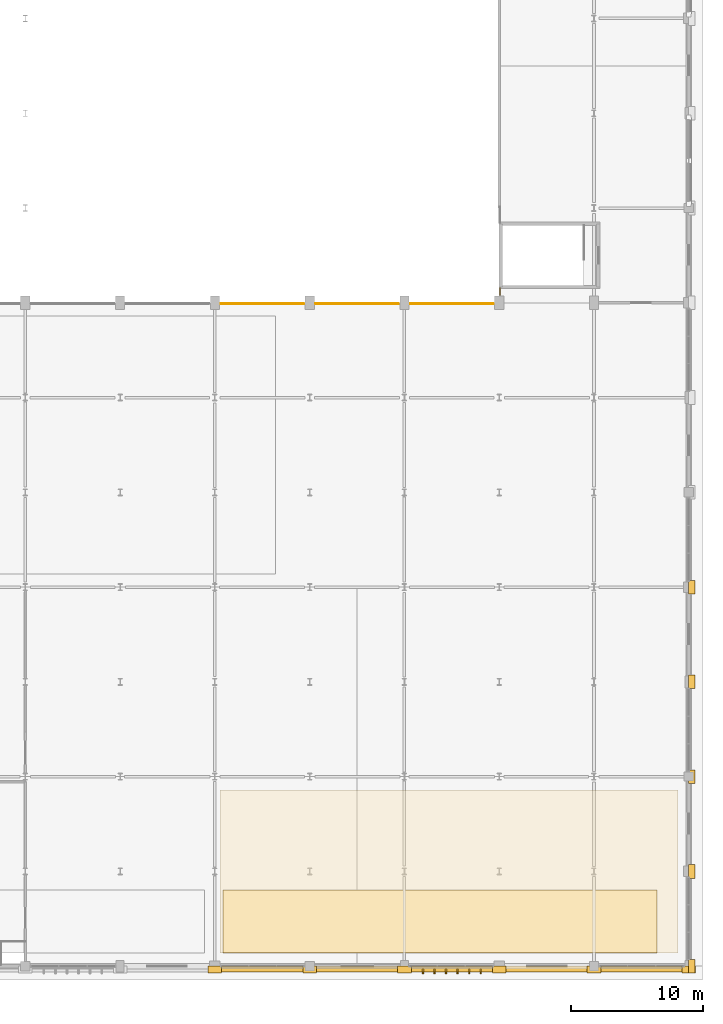
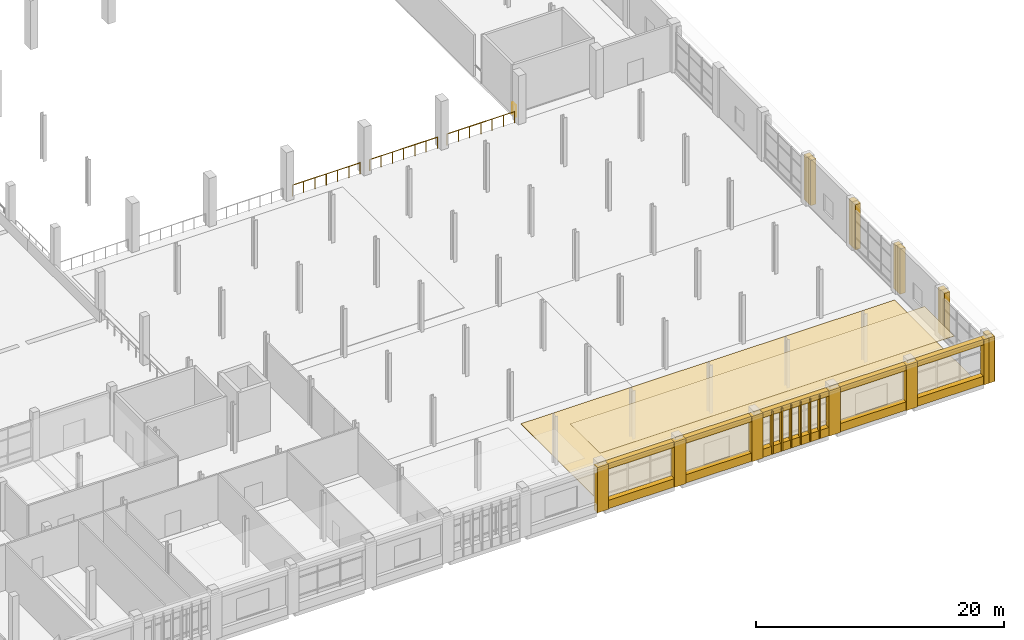
# One storey, part 81 of 82: 29 coverings, 4 railings.
"""IFC4 building model written with IfcOpenShell, lengths in metres."""

from ifc_helpers import new_model, si_unit, direction, frame, origin, origin_2d, place, context, subcontext, project, spatial, polyline, rectangle, circle, outline, extrude, material, layer, layer_set, type_object, element, save


model = new_model("IFC4")

# Units and contexts
model_context = context("Model", 3, precision=1e-05, world=origin(), true_north=direction((0.0, 1.0)))
body_context = subcontext(model_context, "Body", "Model", "MODEL_VIEW")
ifc_project = project(units=[si_unit("LENGTHUNIT", "METRE"), si_unit("AREAUNIT", "SQUARE_METRE"), si_unit("VOLUMEUNIT", "CUBIC_METRE"), si_unit("PLANEANGLEUNIT", "RADIAN"), si_unit("MASSUNIT", "GRAM", prefix="KILO")], contexts=[model_context])

# Site, building, storey
site_placement = place(None, origin())
site = spatial("IfcSite", under=ifc_project, at=site_placement, CompositionType="ELEMENT")
building_placement = place(site_placement, origin())
building = spatial("IfcBuilding", under=site, at=building_placement, Name="Sardonyx Promenade Sports Hall", CompositionType="ELEMENT")
storey_placement = place(building_placement, frame((0.0, 0.0, 11.199951171875)))
storey = spatial("IfcBuildingStorey", under=building, at=storey_placement, Name="L02", CompositionType="ELEMENT", Elevation=11.199951171875)

# Coverings
ifc_material_1 = material(Name="Perforated acoustic mineral-fibre baffle ceiling", Category="other")
ifc_layer_1 = layer(ifc_material_1, 0.0400390625)
ifc_layer_set_1 = layer_set([ifc_layer_1], Name="Cov_Ceil_Acoustic")
covering_type_1 = type_object("IfcCoveringType", Name="Cov_Ceil_Acoustic", PredefinedType="CEILING", material=ifc_layer_set_1)
covering_1_placement = place(storey_placement, frame((0.0, 0.0, 4.52001953125)))
element("IfcCovering", 1, at=covering_1_placement, inside=storey, type_object=covering_type_1, Name="Acoustic baffle ceiling CLG1 L02 #18", PredefinedType="CEILING", context=body_context, shape_type="SweptSolid", body=[
    extrude(outline(polyline([(130.199951171875, 5.800048828125), (130.199951171875, 1.0), (163.199951171875, 1.0), (163.199951171875, 5.800048828125), (130.199951171875, 5.800048828125)])), origin(), (0.0, 0.0, 1.0), 0.0400390625),
])
ifc_material_2 = material(Name="Dressed Cape red sandstone ashlar", Category="masonry")
ifc_layer_2 = layer(ifc_material_2, 0.06005859375)
ifc_layer_set_2 = layer_set([ifc_layer_2], Name="Cov_Cladding_Sandstone")
covering_type_2 = type_object("IfcCoveringType", Name="Cov_Cladding_Sandstone", PredefinedType="CLADDING", material=ifc_layer_set_2)
covering_2_placement = place(storey_placement, origin())
element("IfcCovering", 2, at=covering_2_placement, inside=storey, type_object=covering_type_2, Name="South sandstone bay pier casing L02 #18", PredefinedType="CLADDING", context=body_context, shape_type="SweptSolid", body=[
    extrude(outline(polyline([(129.080078125, -0.52001953125), (130.1201171875, -0.52001953125), (130.1201171875, 0.02001953125), (129.080078125, 0.02001953125), (129.080078125, -0.52001953125)])), origin(), (0.0, 0.0, 1.0), 4.449951171875),
])
covering_3_placement = place(storey_placement, origin())
element("IfcCovering", 3, at=covering_3_placement, inside=storey, type_object=covering_type_2, Name="South sandstone bay pier casing L02 #19", PredefinedType="CLADDING", context=body_context, shape_type="SweptSolid", body=[
    extrude(outline(polyline([(136.280029296875, -0.52001953125), (137.320068359375, -0.52001953125), (137.320068359375, 0.02001953125), (136.280029296875, 0.02001953125), (136.280029296875, -0.52001953125)])), origin(), (0.0, 0.0, 1.0), 4.449951171875),
])
covering_4_placement = place(storey_placement, origin())
element("IfcCovering", 4, at=covering_4_placement, inside=storey, type_object=covering_type_2, Name="South sandstone bay pier casing L02 #20", PredefinedType="CLADDING", context=body_context, shape_type="SweptSolid", body=[
    extrude(outline(polyline([(143.47998046875, -0.52001953125), (144.52001953125, -0.52001953125), (144.52001953125, 0.02001953125), (143.47998046875, 0.02001953125), (143.47998046875, -0.52001953125)])), origin(), (0.0, 0.0, 1.0), 4.449951171875),
])
covering_5_placement = place(storey_placement, origin())
element("IfcCovering", 5, at=covering_5_placement, inside=storey, type_object=covering_type_2, Name="South sandstone bay pier casing L02 #21", PredefinedType="CLADDING", context=body_context, shape_type="SweptSolid", body=[
    extrude(outline(polyline([(150.679931640625, -0.52001953125), (151.719970703125, -0.52001953125), (151.719970703125, 0.02001953125), (150.679931640625, 0.02001953125), (150.679931640625, -0.52001953125)])), origin(), (0.0, 0.0, 1.0), 4.449951171875),
])
covering_6_placement = place(storey_placement, origin())
element("IfcCovering", 6, at=covering_6_placement, inside=storey, type_object=covering_type_2, Name="South sandstone bay pier casing L02 #22", PredefinedType="CLADDING", context=body_context, shape_type="SweptSolid", body=[
    extrude(outline(polyline([(157.8798828125, -0.52001953125), (158.919921875, -0.52001953125), (158.919921875, 0.02001953125), (157.8798828125, 0.02001953125), (157.8798828125, -0.52001953125)])), origin(), (0.0, 0.0, 1.0), 4.449951171875),
])
covering_7_placement = place(storey_placement, origin())
element("IfcCovering", 7, at=covering_7_placement, inside=storey, type_object=covering_type_2, Name="South sandstone bay pier casing L02 #23", PredefinedType="CLADDING", context=body_context, shape_type="SweptSolid", body=[
    extrude(outline(polyline([(165.080078125, -0.52001953125), (166.1201171875, -0.52001953125), (166.1201171875, 0.02001953125), (165.080078125, 0.02001953125), (165.080078125, -0.52001953125)])), origin(), (0.0, 0.0, 1.0), 4.449951171875),
])
covering_8_placement = place(storey_placement, origin())
element("IfcCovering", 8, at=covering_8_placement, inside=storey, type_object=covering_type_2, Name="South sandstone sill spandrel L02 #0", PredefinedType="CLADDING", context=body_context, shape_type="SweptSolid", body=[
    extrude(outline(polyline([(158.919921875, -0.4599609375), (165.080078125, -0.4599609375), (165.080078125, 0.02001953125), (158.919921875, 0.02001953125), (158.919921875, -0.4599609375)])), origin(), (0.0, 0.0, 1.0), 0.820068359375),
])
covering_9_placement = place(storey_placement, frame((0.0, 0.0, 3.900146484375)))
element("IfcCovering", 9, at=covering_9_placement, inside=storey, type_object=covering_type_2, Name="South sandstone lintel frieze L02 #0", PredefinedType="CLADDING", context=body_context, shape_type="SweptSolid", body=[
    extrude(outline(polyline([(158.919921875, -0.4599609375), (165.080078125, -0.4599609375), (165.080078125, 0.02001953125), (158.919921875, 0.02001953125), (158.919921875, -0.4599609375)])), origin(), (0.0, 0.0, 1.0), 0.5498046875),
])
covering_10_placement = place(storey_placement, origin())
element("IfcCovering", 10, at=covering_10_placement, inside=storey, type_object=covering_type_2, Name="South sandstone sill spandrel L02 #1", PredefinedType="CLADDING", context=body_context, shape_type="SweptSolid", body=[
    extrude(outline(polyline([(151.719970703125, -0.4599609375), (157.8798828125, -0.4599609375), (157.8798828125, 0.02001953125), (151.719970703125, 0.02001953125), (151.719970703125, -0.4599609375)])), origin(), (0.0, 0.0, 1.0), 0.820068359375),
])
covering_11_placement = place(storey_placement, frame((0.0, 0.0, 3.900146484375)))
element("IfcCovering", 11, at=covering_11_placement, inside=storey, type_object=covering_type_2, Name="South sandstone lintel frieze L02 #1", PredefinedType="CLADDING", context=body_context, shape_type="SweptSolid", body=[
    extrude(outline(polyline([(151.719970703125, -0.4599609375), (157.8798828125, -0.4599609375), (157.8798828125, 0.02001953125), (151.719970703125, 0.02001953125), (151.719970703125, -0.4599609375)])), origin(), (0.0, 0.0, 1.0), 0.5498046875),
])
covering_12_placement = place(storey_placement, origin())
element("IfcCovering", 12, at=covering_12_placement, inside=storey, type_object=covering_type_2, Name="South sandstone sill spandrel L02 #2", PredefinedType="CLADDING", context=body_context, shape_type="SweptSolid", body=[
    extrude(outline(polyline([(144.52001953125, -0.4599609375), (150.679931640625, -0.4599609375), (150.679931640625, 0.02001953125), (144.52001953125, 0.02001953125), (144.52001953125, -0.4599609375)])), origin(), (0.0, 0.0, 1.0), 0.820068359375),
])
covering_13_placement = place(storey_placement, frame((0.0, 0.0, 3.900146484375)))
element("IfcCovering", 13, at=covering_13_placement, inside=storey, type_object=covering_type_2, Name="South sandstone lintel frieze L02 #2", PredefinedType="CLADDING", context=body_context, shape_type="SweptSolid", body=[
    extrude(outline(polyline([(144.52001953125, -0.4599609375), (150.679931640625, -0.4599609375), (150.679931640625, 0.02001953125), (144.52001953125, 0.02001953125), (144.52001953125, -0.4599609375)])), origin(), (0.0, 0.0, 1.0), 0.5498046875),
])
covering_14_placement = place(storey_placement, origin())
element("IfcCovering", 14, at=covering_14_placement, inside=storey, type_object=covering_type_2, Name="South sandstone sill spandrel L02 #3", PredefinedType="CLADDING", context=body_context, shape_type="SweptSolid", body=[
    extrude(outline(polyline([(137.320068359375, -0.4599609375), (143.47998046875, -0.4599609375), (143.47998046875, 0.02001953125), (137.320068359375, 0.02001953125), (137.320068359375, -0.4599609375)])), origin(), (0.0, 0.0, 1.0), 0.820068359375),
])
covering_15_placement = place(storey_placement, frame((0.0, 0.0, 3.900146484375)))
element("IfcCovering", 15, at=covering_15_placement, inside=storey, type_object=covering_type_2, Name="South sandstone lintel frieze L02 #3", PredefinedType="CLADDING", context=body_context, shape_type="SweptSolid", body=[
    extrude(outline(polyline([(137.320068359375, -0.4599609375), (143.47998046875, -0.4599609375), (143.47998046875, 0.02001953125), (137.320068359375, 0.02001953125), (137.320068359375, -0.4599609375)])), origin(), (0.0, 0.0, 1.0), 0.5498046875),
])
covering_16_placement = place(storey_placement, origin())
element("IfcCovering", 16, at=covering_16_placement, inside=storey, type_object=covering_type_2, Name="South sandstone sill spandrel L02 #4", PredefinedType="CLADDING", context=body_context, shape_type="SweptSolid", body=[
    extrude(outline(polyline([(130.1201171875, -0.4599609375), (136.280029296875, -0.4599609375), (136.280029296875, 0.02001953125), (130.1201171875, 0.02001953125), (130.1201171875, -0.4599609375)])), origin(), (0.0, 0.0, 1.0), 0.820068359375),
])
covering_17_placement = place(storey_placement, frame((0.0, 0.0, 3.900146484375)))
element("IfcCovering", 17, at=covering_17_placement, inside=storey, type_object=covering_type_2, Name="South sandstone lintel frieze L02 #4", PredefinedType="CLADDING", context=body_context, shape_type="SweptSolid", body=[
    extrude(outline(polyline([(130.1201171875, -0.4599609375), (136.280029296875, -0.4599609375), (136.280029296875, 0.02001953125), (130.1201171875, 0.02001953125), (130.1201171875, -0.4599609375)])), origin(), (0.0, 0.0, 1.0), 0.5498046875),
])
covering_18_placement = place(storey_placement, origin())
element("IfcCovering", 18, at=covering_18_placement, inside=storey, type_object=covering_type_2, Name="East sandstone pier casing L02 #0", PredefinedType="CLADDING", context=body_context, shape_type="SweptSolid", body=[
    extrude(outline(polyline([(165.580078125, -0.52001953125), (166.080078125, -0.52001953125), (166.080078125, 0.52001953125), (165.580078125, 0.52001953125), (165.580078125, -0.52001953125)])), origin(), (0.0, 0.0, 1.0), 4.449951171875),
])
covering_19_placement = place(storey_placement, origin())
element("IfcCovering", 19, at=covering_19_placement, inside=storey, type_object=covering_type_2, Name="East sandstone pier casing L02 #1", PredefinedType="CLADDING", context=body_context, shape_type="SweptSolid", body=[
    extrude(outline(polyline([(165.580078125, 6.679931640625), (166.080078125, 6.679931640625), (166.080078125, 7.719970703125), (165.580078125, 7.719970703125), (165.580078125, 6.679931640625)])), origin(), (0.0, 0.0, 1.0), 4.449951171875),
])
covering_20_placement = place(storey_placement, origin())
element("IfcCovering", 20, at=covering_20_placement, inside=storey, type_object=covering_type_2, Name="East sandstone pier casing L02 #2", PredefinedType="CLADDING", context=body_context, shape_type="SweptSolid", body=[
    extrude(outline(polyline([(165.580078125, 13.8798828125), (166.080078125, 13.8798828125), (166.080078125, 14.919921875), (165.580078125, 14.919921875), (165.580078125, 13.8798828125)])), origin(), (0.0, 0.0, 1.0), 4.449951171875),
])
covering_21_placement = place(storey_placement, origin())
element("IfcCovering", 21, at=covering_21_placement, inside=storey, type_object=covering_type_2, Name="East sandstone pier casing L02 #3", PredefinedType="CLADDING", context=body_context, shape_type="SweptSolid", body=[
    extrude(outline(polyline([(165.580078125, 21.080078125), (166.080078125, 21.080078125), (166.080078125, 22.1201171875), (165.580078125, 22.1201171875), (165.580078125, 21.080078125)])), origin(), (0.0, 0.0, 1.0), 4.449951171875),
])
covering_22_placement = place(storey_placement, origin())
element("IfcCovering", 22, at=covering_22_placement, inside=storey, type_object=covering_type_2, Name="East sandstone pier casing L02 #4", PredefinedType="CLADDING", context=body_context, shape_type="SweptSolid", body=[
    extrude(outline(polyline([(165.580078125, 28.280029296875), (166.080078125, 28.280029296875), (166.080078125, 29.320068359375), (165.580078125, 29.320068359375), (165.580078125, 28.280029296875)])), origin(), (0.0, 0.0, 1.0), 4.449951171875),
])
ifc_material_3 = material(Name="EPDM polymeric athletic surfacing", Category="other")
ifc_layer_3 = layer(ifc_material_3, 0.02490234375)
ifc_layer_set_3 = layer_set([ifc_layer_3], Name="Cov_Floor_Athletic")
covering_type_3 = type_object("IfcCoveringType", Name="Cov_Floor_Athletic", PredefinedType="FLOORING", material=ifc_layer_set_3)
covering_23_placement = place(storey_placement, origin())
element("IfcCovering", 23, at=covering_23_placement, inside=storey, type_object=covering_type_3, Name="Athletic flooring FLR2 L02 #20", PredefinedType="FLOORING", context=body_context, shape_type="SweptSolid", body=[
    extrude(outline(polyline([(130.0, 1.0), (164.800048828125, 1.0), (164.800048828125, 13.39990234375), (130.0, 13.39990234375), (130.0, 1.0)])), origin(), (0.0, 0.0, 1.0), 0.025146484375),
])
ifc_material_4 = material(Name="Glulam GL28h", Category="wood")
ifc_layer_4 = layer(ifc_material_4, 0.110107421875)
ifc_layer_set_4 = layer_set([ifc_layer_4], Name="Cov_Louvre_GL28h")
covering_type_4 = type_object("IfcCoveringType", Name="Cov_Louvre_GL28h", PredefinedType="MOLDING", material=ifc_layer_set_4)
for number, where, z_axis, x_axis, name in (
    (24, (145.39990234375, -0.3798828125, 0.10009765625), (0.0, 0.0, 1.0), (1.0, 0.0, 0.0), "Mughal jali screen mullion L02 #2-1"),
    (25, (146.280029296875, -0.3798828125, 0.10009765625), (0.0, 0.0, 1.0), (1.0, 0.0, 0.0), "Mughal jali screen mullion L02 #2-2"),
    (26, (147.159912109375, -0.3798828125, 0.10009765625), (0.0, 0.0, 1.0), (1.0, 0.0, 0.0), "Mughal jali screen mullion L02 #2-3"),
    (27, (148.0400390625, -0.3798828125, 0.10009765625), (0.0, 0.0, 1.0), (1.0, 0.0, 0.0), "Mughal jali screen mullion L02 #2-4"),
    (28, (148.919921875, -0.3798828125, 0.10009765625), (0.0, 0.0, 1.0), (1.0, 0.0, 0.0), "Mughal jali screen mullion L02 #2-5"),
    (29, (149.800048828125, -0.3798828125, 0.10009765625), (0.0, 0.0, 1.0), (1.0, 0.0, 0.0), "Mughal jali screen mullion L02 #2-6"),
):
    element("IfcCovering", number, at=place(storey_placement, frame(where, z_axis=z_axis, x_axis=x_axis)), inside=storey, type_object=covering_type_4, Name=name, PredefinedType="MOLDING", context=body_context, shape_type="SweptSolid", body=[
        extrude(rectangle(XDim=0.10009765625, YDim=0.360107421875, at=origin_2d()), origin(), (0.0, 0.0, 1.0), 4.25),
    ])

# Railings
ifc_material_5 = material(Name="Powder-coated Steel S355JR", Category="steel")
railing_type = type_object("IfcRailingType", Name="Rail_Int_Guard_1100", PredefinedType="GUARDRAIL", material=ifc_material_5)
railing_placement = place(storey_placement, frame((151.27001953125, 51.514892578125, 0.0)))
element("IfcRailing", 30, at=railing_placement, inside=storey, type_object=railing_type, Name="Deck-edge guardrail GR02 L02 #34", PredefinedType="GUARDRAIL", context=body_context, shape_type="SweptSolid", body=[
    extrude(circle(Radius=0.02392578125, at=origin_2d()), frame((0.0, 0.0, 1.09619140625), z_axis=(0.0, -1.0, 0.0), x_axis=(1.0, 0.0, 0.0)), (0.0, 0.0, 1.0), 0.514892578125),
    extrude(circle(Radius=0.02099609375, at=origin_2d()), origin(), (0.0, 0.0, 1.0), 1.072021484375),
    extrude(circle(Radius=0.02099609375, at=origin_2d()), frame((0.0, -0.514892578125, 0.0)), (0.0, 0.0, 1.0), 1.072021484375),
])
for number, where, name in (
    (31, (150.75, 50.330078125, 0.0), "Deck-edge guardrail GR02 L02 #35"),
    (32, (143.550048828125, 50.330078125, 0.0), "Deck-edge guardrail GR02 L02 #36"),
    (33, (136.35009765625, 50.330078125, 0.0), "Deck-edge guardrail GR02 L02 #37"),
):
    element("IfcRailing", number, at=place(storey_placement, frame(where)), inside=storey, type_object=railing_type, Name=name, PredefinedType="GUARDRAIL", context=body_context, shape_type="SweptSolid", body=[
        extrude(circle(Radius=0.02392578125, at=origin_2d()), frame((0.0, 0.0, 1.09619140625), z_axis=(-1.0, 0.0, 0.0), x_axis=(0.0, -1.0, 0.0)), (0.0, 0.0, 1.0), 6.300048828125),
        extrude(circle(Radius=0.02099609375, at=origin_2d()), origin(), (0.0, 0.0, 1.0), 1.072021484375),
        extrude(circle(Radius=0.02099609375, at=origin_2d()), frame((-1.050048828125, 0.0, 0.0)), (0.0, 0.0, 1.0), 1.072021484375),
        extrude(circle(Radius=0.02099609375, at=origin_2d()), frame((-2.10009765625, 0.0, 0.0)), (0.0, 0.0, 1.0), 1.072021484375),
        extrude(circle(Radius=0.02099609375, at=origin_2d()), frame((-3.14990234375, 0.0, 0.0)), (0.0, 0.0, 1.0), 1.072021484375),
        extrude(circle(Radius=0.02099609375, at=origin_2d()), frame((-4.199951171875, 0.0, 0.0)), (0.0, 0.0, 1.0), 1.072021484375),
        extrude(circle(Radius=0.02099609375, at=origin_2d()), frame((-5.25, 0.0, 0.0)), (0.0, 0.0, 1.0), 1.072021484375),
        extrude(circle(Radius=0.02099609375, at=origin_2d()), frame((-6.300048828125, 0.0, 0.0)), (0.0, 0.0, 1.0), 1.072021484375),
    ])

save(model, "model.ifc")
